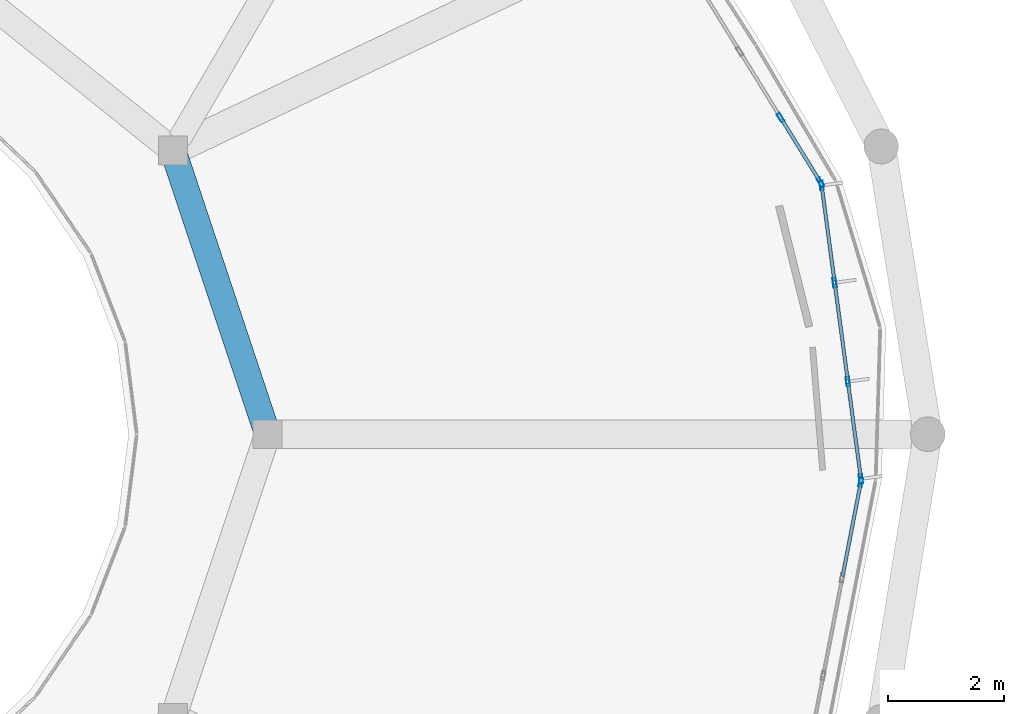
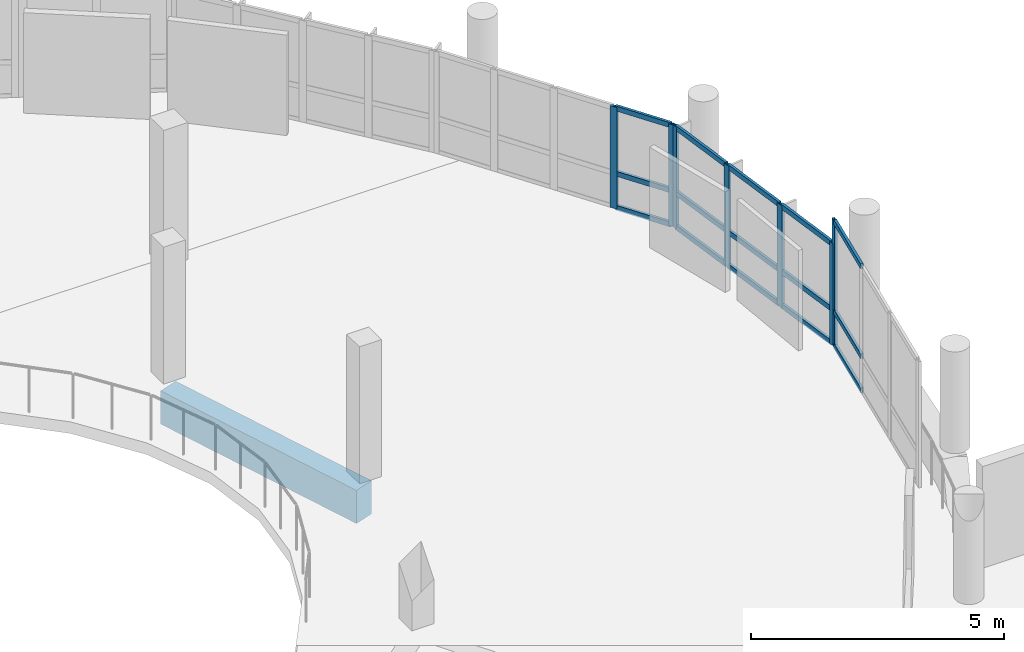
# One storey, part 19 of 43: 22 members, 1 beam, 3 elements without a shape of their own.
"""IFC4 building model written with IfcOpenShell, lengths in metres."""

from ifc_helpers import new_model, si_unit, derived_unit, direction, frame, origin, origin_2d, place, context, subcontext, project, spatial, rectangle, hollow_rectangle, extrude, material, layer, layer_set, material_profile, profile_set, type_object, element, aggregate, save


model = new_model("IFC4")

# Units and contexts
model_context = context("Model", 3, precision=1e-05, world=origin(), true_north=direction((0.0, 1.0)))
body_context = subcontext(model_context, "Body", "Model", "MODEL_VIEW")
ifc_project = project(units=[si_unit("LENGTHUNIT", "METRE"), si_unit("AREAUNIT", "SQUARE_METRE"), si_unit("VOLUMEUNIT", "CUBIC_METRE"), si_unit("PLANEANGLEUNIT", "RADIAN"), si_unit("MASSUNIT", "GRAM", prefix="KILO"), derived_unit("THERMALTRANSMITTANCEUNIT", [(si_unit("POWERUNIT", "WATT"), 1), (si_unit("LENGTHUNIT", "METRE"), -2), (si_unit("THERMODYNAMICTEMPERATUREUNIT", "KELVIN"), -1)])], contexts=[model_context])

# Site, building, storey
site_placement = place(None, origin())
site = spatial("IfcSite", under=ifc_project, at=site_placement, CompositionType="ELEMENT")
building_placement = place(site_placement, origin())
building = spatial("IfcBuilding", under=site, at=building_placement, Name="Elbkamm Science Centre", CompositionType="ELEMENT")
storey_placement = place(building_placement, frame((0.0, 0.0, 18.300048828125)))
storey = spatial("IfcBuildingStorey", under=building, at=storey_placement, Name="L04", CompositionType="ELEMENT", Elevation=18.300048828125)

# Beam
ifc_material_1 = material(Name="Concrete C40/50", Category="concrete")
ifc_material_profile_1 = material_profile(ifc_material_1, rectangle(XDim=0.449951171875, YDim=0.800048828125, at=origin_2d()), Name="RC 450x800")
ifc_profile_set_1 = profile_set([ifc_material_profile_1], Name="Concrete C40/50")
beam_type = type_object("IfcBeamType", Name="BM-RC-450x800", PredefinedType="BEAM", material=ifc_profile_set_1)
beam_placement = place(storey_placement, frame((75.199951171875, 67.199951171875, -0.679931640625), z_axis=(-0.31634119852, 0.948645479681, 0.0), x_axis=(-0.948645479681, -0.31634119852, 0.0)))
element("IfcBeam", 1, at=beam_placement, inside=storey, type_object=beam_type, Name="L04 Atrium Ring Girder 01", PredefinedType="BEAM", context=body_context, shape_type="SweptSolid", body=[
    extrude(rectangle(XDim=0.449951171875, YDim=0.800048828125, at=origin_2d()), origin(), (0.0, 0.0, 1.0), 5.16552734375),
])

# Curtain wall, members
ifc_material_2 = material(Name="Powder-coated aluminium and triple low-E glazing", Category="aluminium")
ifc_layer_1 = layer(ifc_material_2, 0.159912109375)
ifc_layer_set_1 = layer_set([ifc_layer_1], Name="Powder-coated aluminium and triple low-E glazing")
curtain_wall_type_1 = type_object("IfcCurtainWallType", Name="CW-UNIT-5180x2460", PredefinedType="USERDEFINED", material=ifc_layer_set_1)
curtain_wall_1_placement = place(storey_placement, origin())
curtain_wall_1 = element("IfcCurtainWall", 2, at=curtain_wall_1_placement, inside=storey, type_object=curtain_wall_type_1, Name="L04 Unitised Curtain Wall 075", ObjectType="UNITISED CURTAIN WALL", PredefinedType="USERDEFINED")
ifc_material_3 = material(Name="Powder-coated aluminium EN AW-6060", Category="aluminium")
ifc_material_profile_2 = material_profile(ifc_material_3, hollow_rectangle(XDim=0.06005859375, YDim=0.159912109375, WallThickness=0.00390625, at=origin_2d()), Name="ALU M60x160")
ifc_profile_set_2 = profile_set([ifc_material_profile_2], Name="Powder-coated aluminium EN AW-6060")
member_type_1 = type_object("IfcMemberType", Name="CW-MUL-60x160", PredefinedType="MULLION", material=ifc_profile_set_2)
member_1_placement = place(storey_placement, frame((85.446044921875, 66.4296875, 0.0), z_axis=(0.0, 0.0, 1.0), x_axis=(-0.991152918581, -0.132724873281, 0.0)))
member_1 = element("IfcMember", 3, at=member_1_placement, type_object=member_type_1, Name="CW-032 mullion 1", PredefinedType="MULLION", context=body_context, shape_type="SweptSolid", body=[
    extrude(hollow_rectangle(XDim=0.06005859375, YDim=0.159912109375, WallThickness=0.00390625, at=origin_2d()), origin(), (0.0, 0.0, 1.0), 2.449951171875),
])
member_2_placement = place(storey_placement, frame((85.22119140625, 68.1083984375, 0.0), z_axis=(0.0, 0.0, 1.0), x_axis=(-0.991152918581, -0.132724873281, 0.0)))
member_2 = element("IfcMember", 4, at=member_2_placement, type_object=member_type_1, Name="CW-032 mullion 2", PredefinedType="MULLION", context=body_context, shape_type="SweptSolid", body=[
    extrude(hollow_rectangle(XDim=0.06005859375, YDim=0.159912109375, WallThickness=0.00390625, at=origin_2d()), origin(), (0.0, 0.0, 1.0), 2.449951171875),
])
member_3_placement = place(storey_placement, frame((84.992431640625, 69.816650390625, 0.0), z_axis=(0.0, 0.0, 1.0), x_axis=(-0.991152918581, -0.132724873281, 0.0)))
member_3 = element("IfcMember", 5, at=member_3_placement, type_object=member_type_1, Name="CW-032 mullion 3", PredefinedType="MULLION", context=body_context, shape_type="SweptSolid", body=[
    extrude(hollow_rectangle(XDim=0.06005859375, YDim=0.159912109375, WallThickness=0.00390625, at=origin_2d()), origin(), (0.0, 0.0, 1.0), 2.449951171875),
])
member_4_placement = place(storey_placement, frame((84.767578125, 71.495361328125, 0.0), z_axis=(0.0, 0.0, 1.0), x_axis=(-0.991152918581, -0.132724873281, 0.0)))
member_4 = element("IfcMember", 6, at=member_4_placement, type_object=member_type_1, Name="CW-032 mullion 4", PredefinedType="MULLION", context=body_context, shape_type="SweptSolid", body=[
    extrude(hollow_rectangle(XDim=0.06005859375, YDim=0.159912109375, WallThickness=0.00390625, at=origin_2d()), origin(), (0.0, 0.0, 1.0), 2.449951171875),
])

ifc_layer_2 = layer(ifc_material_2, 0.159912109375)
ifc_layer_set_2 = layer_set([ifc_layer_2], Name="Powder-coated aluminium and triple low-E glazing")
curtain_wall_type_2 = type_object("IfcCurtainWallType", Name="CW-UNIT-5360x2460", PredefinedType="USERDEFINED", material=ifc_layer_set_2)
curtain_wall_2_placement = place(storey_placement, origin())
curtain_wall_2 = element("IfcCurtainWall", 7, at=curtain_wall_2_placement, inside=storey, type_object=curtain_wall_type_2, Name="L04 Unitised Curtain Wall 076", ObjectType="UNITISED CURTAIN WALL", PredefinedType="USERDEFINED")
member_5_placement = place(storey_placement, frame((84.748046875, 71.550537109375, 0.0), z_axis=(0.0, 0.0, 1.0), x_axis=(-0.85114742283, -0.524926723085, 0.0)))
member_5 = element("IfcMember", 8, at=member_5_placement, type_object=member_type_1, Name="CW-033 mullion 1", PredefinedType="MULLION", context=body_context, shape_type="SweptSolid", body=[
    extrude(hollow_rectangle(XDim=0.06005859375, YDim=0.159912109375, WallThickness=0.00390625, at=origin_2d()), origin(), (0.0, 0.0, 1.0), 2.449951171875),
])
member_6_placement = place(storey_placement, frame((84.059326171875, 72.667236328125, 0.0), z_axis=(0.0, 0.0, 1.0), x_axis=(-0.85114742283, -0.524926723085, 0.0)))
member_6 = element("IfcMember", 9, at=member_6_placement, type_object=member_type_1, Name="CW-033 mullion 2", PredefinedType="MULLION", context=body_context, shape_type="SweptSolid", body=[
    extrude(hollow_rectangle(XDim=0.06005859375, YDim=0.159912109375, WallThickness=0.00390625, at=origin_2d()), origin(), (0.0, 0.0, 1.0), 2.449951171875),
])

# Curtain wall, member
ifc_layer_3 = layer(ifc_material_2, 0.159912109375)
ifc_layer_set_3 = layer_set([ifc_layer_3], Name="Powder-coated aluminium and triple low-E glazing")
curtain_wall_type_3 = type_object("IfcCurtainWallType", Name="CW-UNIT-5140x3040", PredefinedType="USERDEFINED", material=ifc_layer_set_3)
curtain_wall_3_placement = place(storey_placement, origin())
curtain_wall_3 = element("IfcCurtainWall", 10, at=curtain_wall_3_placement, inside=storey, type_object=curtain_wall_type_3, Name="L04 Unitised Curtain Wall 101", ObjectType="UNITISED CURTAIN WALL", PredefinedType="USERDEFINED")
member_7_placement = place(storey_placement, frame((85.4443359375, 66.37060546875, 0.0), z_axis=(0.0, 0.0, 1.0), x_axis=(-0.981665064841, 0.190614009116, 0.0)))
member_7 = element("IfcMember", 11, at=member_7_placement, type_object=member_type_1, Name="CW-050 mullion 4", PredefinedType="MULLION", context=body_context, shape_type="SweptSolid", body=[
    extrude(hollow_rectangle(XDim=0.06005859375, YDim=0.159912109375, WallThickness=0.00390625, at=origin_2d()), origin(), (0.0, 0.0, 1.0), 3.0400390625),
])

# Member
ifc_material_profile_3 = material_profile(ifc_material_3, hollow_rectangle(XDim=0.06005859375, YDim=0.1201171875, WallThickness=0.00341796875, at=origin_2d()), Name="ALU T60x120")
ifc_profile_set_3 = profile_set([ifc_material_profile_3], Name="Powder-coated aluminium EN AW-6060")
member_type_2 = type_object("IfcMemberType", Name="CW-TRN-60x120", PredefinedType="USERDEFINED", material=ifc_profile_set_3)
member_8_placement = place(storey_placement, frame((85.442138671875, 66.45947265625, 0.030029296875), z_axis=(-0.132858715784, 0.991134986589, 0.0), x_axis=(-0.991134986589, -0.132858715784, 0.0)))
member_8 = element("IfcMember", 12, at=member_8_placement, type_object=member_type_2, Name="CW-032 transom 1.1", ObjectType="TRANSOM", PredefinedType="USERDEFINED", context=body_context, shape_type="SweptSolid", body=[
    extrude(hollow_rectangle(XDim=0.06005859375, YDim=0.1201171875, WallThickness=0.00341796875, at=origin_2d()), origin(), (0.0, 0.0, 1.0), 1.633544921875),
])

member_9_placement = place(storey_placement, frame((85.442138671875, 66.45947265625, 0.849853515625), z_axis=(-0.132858715784, 0.991134986589, 0.0), x_axis=(-0.991134986589, -0.132858715784, 0.0)))
member_9 = element("IfcMember", 13, at=member_9_placement, type_object=member_type_2, Name="CW-032 transom 1.2", ObjectType="TRANSOM", PredefinedType="USERDEFINED", context=body_context, shape_type="SweptSolid", body=[
    extrude(hollow_rectangle(XDim=0.06005859375, YDim=0.1201171875, WallThickness=0.00341796875, at=origin_2d()), origin(), (0.0, 0.0, 1.0), 1.633544921875),
])

member_10_placement = place(storey_placement, frame((85.442138671875, 66.45947265625, 2.419921875), z_axis=(-0.132858715784, 0.991134986589, 0.0), x_axis=(-0.991134986589, -0.132858715784, 0.0)))
member_10 = element("IfcMember", 14, at=member_10_placement, type_object=member_type_2, Name="CW-032 transom 1.3", ObjectType="TRANSOM", PredefinedType="USERDEFINED", context=body_context, shape_type="SweptSolid", body=[
    extrude(hollow_rectangle(XDim=0.06005859375, YDim=0.1201171875, WallThickness=0.00341796875, at=origin_2d()), origin(), (0.0, 0.0, 1.0), 1.633544921875),
])

member_11_placement = place(storey_placement, frame((85.21728515625, 68.13818359375, 0.030029296875), z_axis=(-0.132807721048, 0.991141820947, 0.0), x_axis=(-0.991141820947, -0.132807721048, 0.0)))
member_11 = element("IfcMember", 15, at=member_11_placement, type_object=member_type_2, Name="CW-032 transom 2.1", ObjectType="TRANSOM", PredefinedType="USERDEFINED", context=body_context, shape_type="SweptSolid", body=[
    extrude(hollow_rectangle(XDim=0.06005859375, YDim=0.1201171875, WallThickness=0.00341796875, at=origin_2d()), origin(), (0.0, 0.0, 1.0), 1.66357421875),
])

member_12_placement = place(storey_placement, frame((85.21728515625, 68.13818359375, 0.849853515625), z_axis=(-0.132807721048, 0.991141820947, 0.0), x_axis=(-0.991141820947, -0.132807721048, 0.0)))
member_12 = element("IfcMember", 16, at=member_12_placement, type_object=member_type_2, Name="CW-032 transom 2.2", ObjectType="TRANSOM", PredefinedType="USERDEFINED", context=body_context, shape_type="SweptSolid", body=[
    extrude(hollow_rectangle(XDim=0.06005859375, YDim=0.1201171875, WallThickness=0.00341796875, at=origin_2d()), origin(), (0.0, 0.0, 1.0), 1.66357421875),
])

member_13_placement = place(storey_placement, frame((85.21728515625, 68.13818359375, 2.419921875), z_axis=(-0.132807721048, 0.991141820947, 0.0), x_axis=(-0.991141820947, -0.132807721048, 0.0)))
member_13 = element("IfcMember", 17, at=member_13_placement, type_object=member_type_2, Name="CW-032 transom 2.3", ObjectType="TRANSOM", PredefinedType="USERDEFINED", context=body_context, shape_type="SweptSolid", body=[
    extrude(hollow_rectangle(XDim=0.06005859375, YDim=0.1201171875, WallThickness=0.00341796875, at=origin_2d()), origin(), (0.0, 0.0, 1.0), 1.66357421875),
])

member_14_placement = place(storey_placement, frame((84.988525390625, 69.846435546875, 0.030029296875), z_axis=(-0.132711902, 0.991154655474, 0.0), x_axis=(-0.991154655474, -0.132711902, 0.0)))
member_14 = element("IfcMember", 18, at=member_14_placement, type_object=member_type_2, Name="CW-032 transom 3.1", ObjectType="TRANSOM", PredefinedType="USERDEFINED", context=body_context, shape_type="SweptSolid", body=[
    extrude(hollow_rectangle(XDim=0.06005859375, YDim=0.1201171875, WallThickness=0.00341796875, at=origin_2d()), origin(), (0.0, 0.0, 1.0), 1.633544921875),
])

member_15_placement = place(storey_placement, frame((84.988525390625, 69.846435546875, 0.849853515625), z_axis=(-0.132711902, 0.991154655474, 0.0), x_axis=(-0.991154655474, -0.132711902, 0.0)))
member_15 = element("IfcMember", 19, at=member_15_placement, type_object=member_type_2, Name="CW-032 transom 3.2", ObjectType="TRANSOM", PredefinedType="USERDEFINED", context=body_context, shape_type="SweptSolid", body=[
    extrude(hollow_rectangle(XDim=0.06005859375, YDim=0.1201171875, WallThickness=0.00341796875, at=origin_2d()), origin(), (0.0, 0.0, 1.0), 1.633544921875),
])

member_16_placement = place(storey_placement, frame((84.988525390625, 69.846435546875, 2.419921875), z_axis=(-0.132711902, 0.991154655474, 0.0), x_axis=(-0.991154655474, -0.132711902, 0.0)))
member_16 = element("IfcMember", 20, at=member_16_placement, type_object=member_type_2, Name="CW-032 transom 3.3", ObjectType="TRANSOM", PredefinedType="USERDEFINED", context=body_context, shape_type="SweptSolid", body=[
    extrude(hollow_rectangle(XDim=0.06005859375, YDim=0.1201171875, WallThickness=0.00341796875, at=origin_2d()), origin(), (0.0, 0.0, 1.0), 1.633544921875),
])

aggregate(curtain_wall_1, [member_1, member_2, member_3, member_4, member_8, member_9, member_10, member_11, member_12, member_13, member_14, member_15, member_16])

member_17_placement = place(storey_placement, frame((84.732177734375, 71.576171875, 0.030029296875), z_axis=(-0.524869861598, 0.851182488299, 0.0), x_axis=(-0.851182488299, -0.524869861598, 0.0)))
member_17 = element("IfcMember", 21, at=member_17_placement, type_object=member_type_2, Name="CW-033 transom 1.1", ObjectType="TRANSOM", PredefinedType="USERDEFINED", context=body_context, shape_type="SweptSolid", body=[
    extrude(hollow_rectangle(XDim=0.06005859375, YDim=0.1201171875, WallThickness=0.00341796875, at=origin_2d()), origin(), (0.0, 0.0, 1.0), 1.251708984375),
])

member_18_placement = place(storey_placement, frame((84.732177734375, 71.576171875, 0.849853515625), z_axis=(-0.524869861598, 0.851182488299, 0.0), x_axis=(-0.851182488299, -0.524869861598, 0.0)))
member_18 = element("IfcMember", 22, at=member_18_placement, type_object=member_type_2, Name="CW-033 transom 1.2", ObjectType="TRANSOM", PredefinedType="USERDEFINED", context=body_context, shape_type="SweptSolid", body=[
    extrude(hollow_rectangle(XDim=0.06005859375, YDim=0.1201171875, WallThickness=0.00341796875, at=origin_2d()), origin(), (0.0, 0.0, 1.0), 1.251708984375),
])

member_19_placement = place(storey_placement, frame((84.732177734375, 71.576171875, 2.419921875), z_axis=(-0.524869861598, 0.851182488299, 0.0), x_axis=(-0.851182488299, -0.524869861598, 0.0)))
member_19 = element("IfcMember", 23, at=member_19_placement, type_object=member_type_2, Name="CW-033 transom 1.3", ObjectType="TRANSOM", PredefinedType="USERDEFINED", context=body_context, shape_type="SweptSolid", body=[
    extrude(hollow_rectangle(XDim=0.06005859375, YDim=0.1201171875, WallThickness=0.00341796875, at=origin_2d()), origin(), (0.0, 0.0, 1.0), 1.251708984375),
])

aggregate(curtain_wall_2, [member_5, member_6, member_17, member_18, member_19])

member_20_placement = place(storey_placement, frame((85.129150390625, 64.747314453125, 0.030029296875), z_axis=(0.190531544196, 0.981681073805, 0.0), x_axis=(-0.981681073805, 0.190531544196, 0.0)))
member_20 = element("IfcMember", 24, at=member_20_placement, type_object=member_type_2, Name="CW-050 transom 3.1", ObjectType="TRANSOM", PredefinedType="USERDEFINED", context=body_context, shape_type="SweptSolid", body=[
    extrude(hollow_rectangle(XDim=0.06005859375, YDim=0.1201171875, WallThickness=0.00341796875, at=origin_2d()), origin(), (0.0, 0.0, 1.0), 1.62353515625),
])

member_21_placement = place(storey_placement, frame((85.129150390625, 64.747314453125, 0.849853515625), z_axis=(0.190531544196, 0.981681073805, 0.0), x_axis=(-0.981681073805, 0.190531544196, 0.0)))
member_21 = element("IfcMember", 25, at=member_21_placement, type_object=member_type_2, Name="CW-050 transom 3.2", ObjectType="TRANSOM", PredefinedType="USERDEFINED", context=body_context, shape_type="SweptSolid", body=[
    extrude(hollow_rectangle(XDim=0.06005859375, YDim=0.1201171875, WallThickness=0.00341796875, at=origin_2d()), origin(), (0.0, 0.0, 1.0), 1.62353515625),
])

member_22_placement = place(storey_placement, frame((85.129150390625, 64.747314453125, 3.010009765625), z_axis=(0.190531544196, 0.981681073805, 0.0), x_axis=(-0.981681073805, 0.190531544196, 0.0)))
member_22 = element("IfcMember", 26, at=member_22_placement, type_object=member_type_2, Name="CW-050 transom 3.3", ObjectType="TRANSOM", PredefinedType="USERDEFINED", context=body_context, shape_type="SweptSolid", body=[
    extrude(hollow_rectangle(XDim=0.06005859375, YDim=0.1201171875, WallThickness=0.00341796875, at=origin_2d()), origin(), (0.0, 0.0, 1.0), 1.62353515625),
])

aggregate(curtain_wall_3, [member_7, member_20, member_21, member_22])

save(model, "model.ifc")
